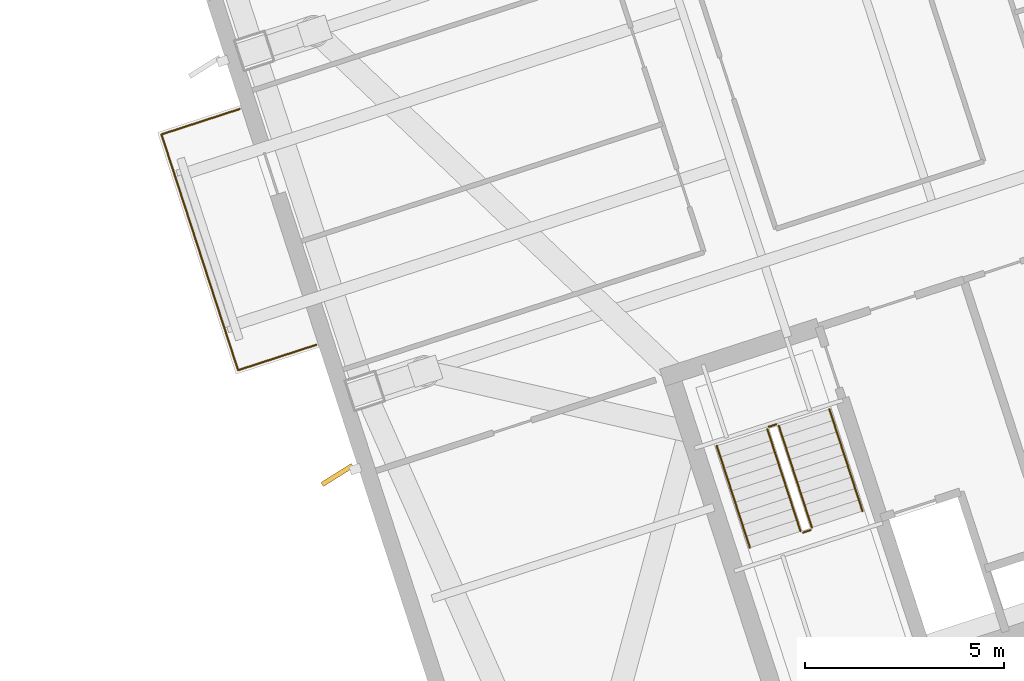
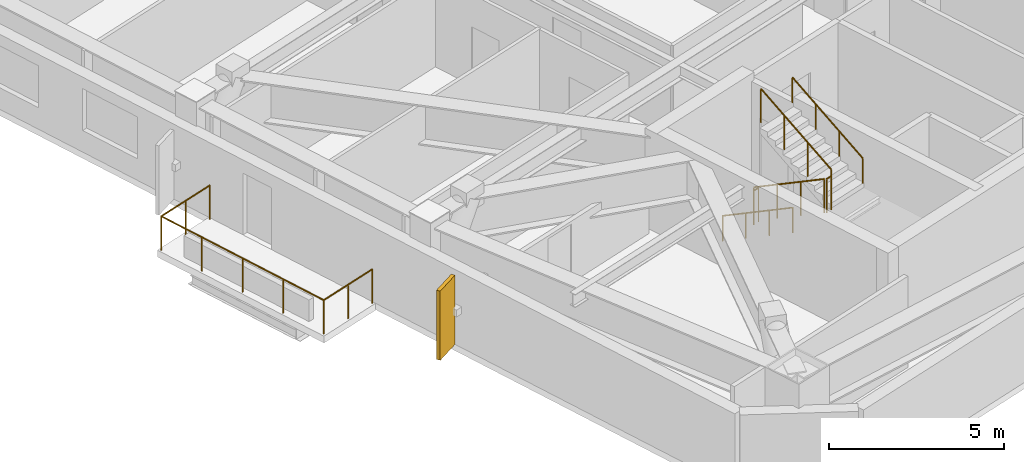
# One storey, part 17 of 18: 7 railings, 1 shading device.
"""IFC4 building model written with IfcOpenShell, lengths in metres."""

from ifc_helpers import new_model, si_unit, direction, frame, origin, origin_2d, place, context, subcontext, project, spatial, rectangle, circle, extrude, material, layer, layer_set, type_object, element, save


model = new_model("IFC4")

# Units and contexts
model_context = context("Model", 3, precision=1e-05, world=origin(), true_north=direction((0.0, 1.0)))
body_context = subcontext(model_context, "Body", "Model", "MODEL_VIEW")
ifc_project = project(units=[si_unit("LENGTHUNIT", "METRE"), si_unit("AREAUNIT", "SQUARE_METRE"), si_unit("VOLUMEUNIT", "CUBIC_METRE"), si_unit("PLANEANGLEUNIT", "RADIAN"), si_unit("MASSUNIT", "GRAM", prefix="KILO")], contexts=[model_context])

# Site, building, storey
site_placement = place(None, origin())
site = spatial("IfcSite", under=ifc_project, at=site_placement, CompositionType="ELEMENT")
building_placement = place(site_placement, origin())
building = spatial("IfcBuilding", under=site, at=building_placement, Name="Qiaolan Cultural Towers", CompositionType="ELEMENT")
storey_placement = place(building_placement, frame((0.0, 0.0, 195.5)))
storey = spatial("IfcBuildingStorey", under=building, at=storey_placement, Name="L52", CompositionType="ELEMENT", Elevation=195.5)

# Railings
ifc_material_1 = material(Name="Laminated SentryGlas & Stainless Steel S31608 Balustrade", Category="steel")
railing_type_1 = type_object("IfcRailingType", Name="GRD-TERR-1200", PredefinedType="BALUSTRADE", material=ifc_material_1)
railing_1_placement = place(storey_placement, frame((77.24951171875, 21.9501953125, 0.0)))
element("IfcRailing", 1, at=railing_1_placement, inside=storey, type_object=railing_type_1, Name="L52 T2 Tree Balcony Guardrail W", PredefinedType="BALUSTRADE", context=body_context, shape_type="SweptSolid", body=[
    extrude(circle(Radius=0.02392578125, at=origin_2d()), frame((0.0, 0.0, 1.17578125), z_axis=(-0.951061799618, -0.309000733507, 0.0), x_axis=(0.309000733507, -0.951061799618, 0.0)), (0.0, 0.0, 1.0), 2.070068359375),
    extrude(circle(Radius=0.02392578125, at=origin_2d()), frame((-1.96875, -0.6396484375, 1.17578125), z_axis=(-0.30901175762, 0.951058217804, 0.0), x_axis=(-0.951058217804, -0.30901175762, 0.0)), (0.0, 0.0, 1.0), 6.239990234375),
    extrude(circle(Radius=0.02392578125, at=origin_2d()), frame((-3.89697265625, 5.294921875, 1.17578125), z_axis=(0.951061799618, 0.309000733507, 0.0), x_axis=(-0.309000733507, 0.951061799618, 0.0)), (0.0, 0.0, 1.0), 2.070068359375),
    extrude(circle(Radius=0.02099609375, at=origin_2d()), origin(), (0.0, 0.0, 1.0), 1.15185546875),
    extrude(circle(Radius=0.02099609375, at=origin_2d()), frame((-0.984375, -0.31982421875, 0.0)), (0.0, 0.0, 1.0), 1.15185546875),
    extrude(circle(Radius=0.02099609375, at=origin_2d()), frame((-1.96875, -0.6396484375, 0.0)), (0.0, 0.0, 1.0), 1.15185546875),
    extrude(circle(Radius=0.02099609375, at=origin_2d()), frame((-2.45068359375, 0.843994140625, 0.0)), (0.0, 0.0, 1.0), 1.15185546875),
    extrude(circle(Radius=0.02099609375, at=origin_2d()), frame((-2.932861328125, 2.32763671875, 0.0)), (0.0, 0.0, 1.0), 1.15185546875),
    extrude(circle(Radius=0.02099609375, at=origin_2d()), frame((-3.4150390625, 3.811279296875, 0.0)), (0.0, 0.0, 1.0), 1.15185546875),
    extrude(circle(Radius=0.02099609375, at=origin_2d()), frame((-3.89697265625, 5.294921875, 0.0)), (0.0, 0.0, 1.0), 1.15185546875),
    extrude(circle(Radius=0.02099609375, at=origin_2d()), frame((-2.91259765625, 5.61474609375, 0.0)), (0.0, 0.0, 1.0), 1.15185546875),
    extrude(circle(Radius=0.02099609375, at=origin_2d()), frame((-1.92822265625, 5.9345703125, 0.0)), (0.0, 0.0, 1.0), 1.15185546875),
])
ifc_material_2 = material(Name="Galvanized Painted Steel Stair Guardrail", Category="steel")
railing_type_2 = type_object("IfcRailingType", Name="RL-STAIR-GRD", PredefinedType="GUARDRAIL", material=ifc_material_2)
railing_2_placement = place(storey_placement, frame((88.60205078125, 19.82421875, 0.172607421875)))
element("IfcRailing", 2, at=railing_2_placement, inside=storey, type_object=railing_type_2, Name="L52 ST-E1 stair guard 1", PredefinedType="GUARDRAIL", context=body_context, shape_type="SweptSolid", body=[
    extrude(circle(Radius=0.02392578125, at=origin_2d()), frame((0.0, 0.0, 1.17578125), z_axis=(0.267925668498, -0.824471088726, 0.498460891159), x_axis=(0.951043371037, 0.309057448393, 0.0)), (0.0, 0.0, 1.0), 3.114501953125),
    extrude(circle(Radius=0.02099609375, at=origin_2d()), origin(), (0.0, 0.0, 1.0), 1.15185546875),
    extrude(circle(Radius=0.02099609375, at=origin_2d()), frame((0.278076171875, -0.85595703125, 0.517578125)), (0.0, 0.0, 1.0), 1.15185546875),
    extrude(circle(Radius=0.02099609375, at=origin_2d()), frame((0.556396484375, -1.7119140625, 1.034912109375)), (0.0, 0.0, 1.0), 1.15185546875),
    extrude(circle(Radius=0.02099609375, at=origin_2d()), frame((0.83447265625, -2.56787109375, 1.552490234375)), (0.0, 0.0, 1.0), 1.15185546875),
])
railing_3_placement = place(storey_placement, frame((89.49951171875, 17.224365234375, 1.72509765625)))
element("IfcRailing", 3, at=railing_3_placement, inside=storey, type_object=railing_type_2, Name="L52 ST-E1 stair guard 2", PredefinedType="GUARDRAIL", context=body_context, shape_type="SweptSolid", body=[
    extrude(circle(Radius=0.02392578125, at=origin_2d()), frame((0.0, 0.0, 1.17578125), z_axis=(0.951096855055, 0.308892816854, 0.0), x_axis=(-0.308892816854, 0.951096855055, 0.0)), (0.0, 0.0, 1.0), 0.199951171875),
    extrude(circle(Radius=0.02099609375, at=origin_2d()), origin(), (0.0, 0.0, 1.0), 1.15185546875),
    extrude(circle(Radius=0.02099609375, at=origin_2d()), frame((0.190185546875, 0.061767578125, 0.0)), (0.0, 0.0, 1.0), 1.15185546875),
])
railing_4_placement = place(storey_placement, frame((89.721923828125, 17.34912109375, 1.8974609375)))
element("IfcRailing", 4, at=railing_4_placement, inside=storey, type_object=railing_type_2, Name="L52 ST-E1 stair guard 3", PredefinedType="GUARDRAIL", context=body_context, shape_type="SweptSolid", body=[
    extrude(circle(Radius=0.02392578125, at=origin_2d()), frame((0.0, 0.0, 1.17578125), z_axis=(-0.267925668498, 0.824471088726, 0.498460891159), x_axis=(-0.951043371037, -0.309057448393, 0.0)), (0.0, 0.0, 1.0), 3.114501953125),
    extrude(circle(Radius=0.02099609375, at=origin_2d()), origin(), (0.0, 0.0, 1.0), 1.15185546875),
    extrude(circle(Radius=0.02099609375, at=origin_2d()), frame((-0.278076171875, 0.85595703125, 0.517578125)), (0.0, 0.0, 1.0), 1.15185546875),
    extrude(circle(Radius=0.02099609375, at=origin_2d()), frame((-0.556396484375, 1.7119140625, 1.034912109375)), (0.0, 0.0, 1.0), 1.15185546875),
    extrude(circle(Radius=0.02099609375, at=origin_2d()), frame((-0.83447265625, 2.56787109375, 1.552490234375)), (0.0, 0.0, 1.0), 1.15185546875),
])
railing_5_placement = place(storey_placement, frame((88.63427734375, 19.88720703125, 0.0)))
element("IfcRailing", 5, at=railing_5_placement, inside=storey, type_object=railing_type_2, Name="L52 ST-E1 stair guard 4", PredefinedType="GUARDRAIL", context=body_context, shape_type="SweptSolid", body=[
    extrude(circle(Radius=0.02392578125, at=origin_2d()), frame((0.0, 0.0, 1.17578125), z_axis=(0.951096855055, 0.308892816854, 0.0), x_axis=(-0.308892816854, 0.951096855055, 0.0)), (0.0, 0.0, 1.0), 0.199951171875),
    extrude(circle(Radius=0.02099609375, at=origin_2d()), origin(), (0.0, 0.0, 1.0), 1.15185546875),
    extrude(circle(Radius=0.02099609375, at=origin_2d()), frame((0.190185546875, 0.061767578125, 0.0)), (0.0, 0.0, 1.0), 1.15185546875),
])
ifc_material_3 = material(Name="Stainless Steel S30408 Tubular Handrail", Category="steel")
railing_type_3 = type_object("IfcRailingType", Name="RL-STAIR-HR", PredefinedType="HANDRAIL", material=ifc_material_3)
railing_6_placement = place(storey_placement, frame((87.32763671875, 19.41015625, 0.172607421875)))
element("IfcRailing", 6, at=railing_6_placement, inside=storey, type_object=railing_type_3, Name="L52 ST-E1 stair handrail 1", PredefinedType="HANDRAIL", context=body_context, shape_type="SweptSolid", body=[
    extrude(circle(Radius=0.02392578125, at=origin_2d()), frame((0.0, 0.0, 0.8759765625), z_axis=(0.267925668498, -0.824471088726, 0.498460891159), x_axis=(0.951043371037, 0.309057448393, 0.0)), (0.0, 0.0, 1.0), 3.114501953125),
    extrude(circle(Radius=0.02099609375, at=origin_2d()), origin(), (0.0, 0.0, 1.0), 0.851806640625),
    extrude(circle(Radius=0.02099609375, at=origin_2d()), frame((0.278076171875, -0.85595703125, 0.517578125)), (0.0, 0.0, 1.0), 0.851806640625),
    extrude(circle(Radius=0.02099609375, at=origin_2d()), frame((0.556396484375, -1.7119140625, 1.034912109375)), (0.0, 0.0, 1.0), 0.851806640625),
    extrude(circle(Radius=0.02099609375, at=origin_2d()), frame((0.83447265625, -2.56787109375, 1.552490234375)), (0.0, 0.0, 1.0), 0.851806640625),
])
railing_7_placement = place(storey_placement, frame((90.996337890625, 17.76318359375, 1.8974609375)))
element("IfcRailing", 7, at=railing_7_placement, inside=storey, type_object=railing_type_3, Name="L52 ST-E1 stair handrail 2", PredefinedType="HANDRAIL", context=body_context, shape_type="SweptSolid", body=[
    extrude(circle(Radius=0.02392578125, at=origin_2d()), frame((0.0, 0.0, 0.8759765625), z_axis=(-0.267925668498, 0.824471088726, 0.498460891159), x_axis=(-0.951043371037, -0.309057448393, 0.0)), (0.0, 0.0, 1.0), 3.114501953125),
    extrude(circle(Radius=0.02099609375, at=origin_2d()), origin(), (0.0, 0.0, 1.0), 0.851806640625),
    extrude(circle(Radius=0.02099609375, at=origin_2d()), frame((-0.278076171875, 0.85595703125, 0.517578125)), (0.0, 0.0, 1.0), 0.851806640625),
    extrude(circle(Radius=0.02099609375, at=origin_2d()), frame((-0.556396484375, 1.7119140625, 1.034912109375)), (0.0, 0.0, 1.0), 0.851806640625),
    extrude(circle(Radius=0.02099609375, at=origin_2d()), frame((-0.83447265625, 2.56787109375, 1.552490234375)), (0.0, 0.0, 1.0), 0.851806640625),
])

# Shading device
ifc_material_4 = material(Name="Pierced Warm Terracotta Acoustic Fin", Category="masonry")
ifc_layer = layer(ifc_material_4, 0.1201171875)
ifc_layer_set = layer_set([ifc_layer], Name="Pierced Warm Terracotta Acoustic Fin")
shading_device_type = type_object("IfcShadingDeviceType", Name="SHD-FIN-PIERCED", PredefinedType="USERDEFINED", material=ifc_layer_set)
shading_device_placement = place(storey_placement, frame((77.778076171875, 18.673095703125, 0.10009765625), z_axis=(0.0, 0.0, 1.0), x_axis=(0.847164684072, 0.531330403855, 0.0)))
element("IfcShadingDevice", 8, at=shading_device_placement, inside=storey, type_object=shading_device_type, Name="L52 T2 Expressive Precast Vertical Fin W1", ObjectType="FIN", PredefinedType="USERDEFINED", context=body_context, shape_type="SweptSolid", body=[
    extrude(rectangle(XDim=0.89990234375, YDim=0.1201171875, at=origin_2d()), origin(), (0.0, 0.0, 1.0), 2.409912109375),
])

save(model, "model.ifc")
